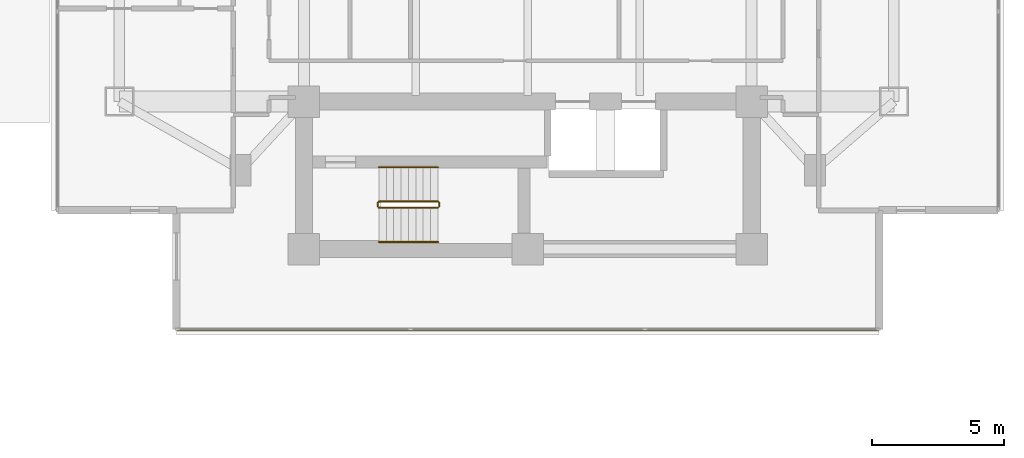
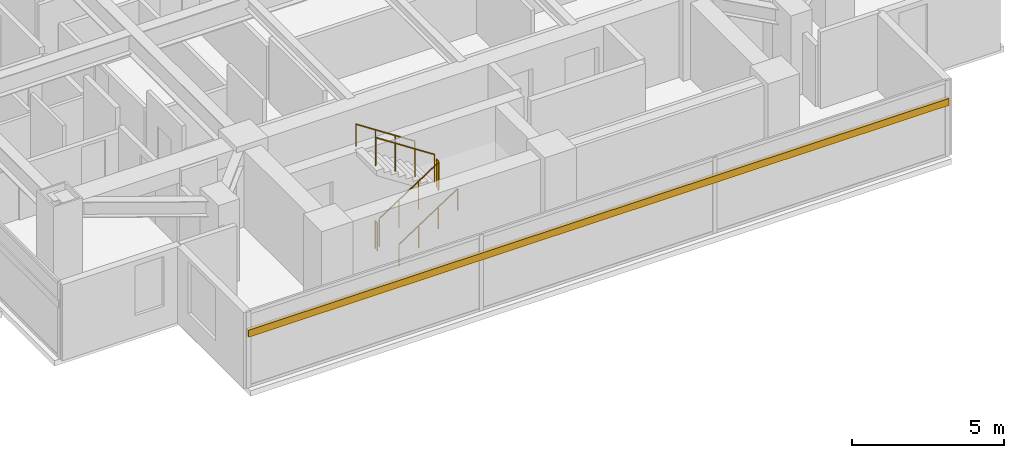
# One storey, part 24 of 26: 6 railings, 1 shading device.
"""IFC4 building model written with IfcOpenShell, lengths in metres."""

from ifc_helpers import new_model, si_unit, direction, frame, origin, origin_2d, place, context, subcontext, project, spatial, rectangle, circle, extrude, material, material_profile, profile_set, type_object, element, save


model = new_model("IFC4")

# Units and contexts
model_context = context("Model", 3, precision=1e-05, world=origin(), true_north=direction((0.0, 1.0)))
body_context = subcontext(model_context, "Body", "Model", "MODEL_VIEW")
ifc_project = project(units=[si_unit("LENGTHUNIT", "METRE"), si_unit("AREAUNIT", "SQUARE_METRE"), si_unit("VOLUMEUNIT", "CUBIC_METRE"), si_unit("PLANEANGLEUNIT", "RADIAN"), si_unit("MASSUNIT", "GRAM", prefix="KILO")], contexts=[model_context])

# Site, building, storey
site_placement = place(None, origin())
site = spatial("IfcSite", under=ifc_project, at=site_placement, CompositionType="ELEMENT")
building_placement = place(site_placement, origin())
building = spatial("IfcBuilding", under=site, at=building_placement, Name="Mirazonda Arch Towers", CompositionType="ELEMENT")
storey_placement = place(building_placement, frame((0.0, 0.0, 98.300048828125)))
storey = spatial("IfcBuildingStorey", under=building, at=storey_placement, Name="L27", CompositionType="ELEMENT", Elevation=98.300048828125)

# Shading device
ifc_material_1 = material(Name="Kiln-Fired Architectural Terracotta", Category="masonry")
ifc_material_profile = material_profile(ifc_material_1, rectangle(XDim=0.139892578125, YDim=0.280029296875, at=origin_2d()), Name="TERRA-BAG-140x280")
ifc_profile_set = profile_set([ifc_material_profile], Name="Kiln-Fired Architectural Terracotta")
shading_device_type = type_object("IfcShadingDeviceType", Name="BAGUETTE-3", PredefinedType="USERDEFINED", material=ifc_profile_set)
shading_device_placement = place(storey_placement, frame((89.840087890625, 12.152587890625, 2.203125), z_axis=(-1.0, 0.0, 0.0), x_axis=(0.0, -1.0, 0.0)))
element("IfcShadingDevice", 1, at=shading_device_placement, inside=storey, type_object=shading_device_type, Name="L27 Glazed Terracotta Sun-Screen Baguette CW-L27-T2-S", ObjectType="BAGUETTE", PredefinedType="USERDEFINED", context=body_context, shape_type="SweptSolid", body=[
    extrude(rectangle(XDim=0.139892578125, YDim=0.280029296875, at=origin_2d()), origin(), (0.0, 0.0, 1.0), 26.68017578125),
])

# Railings
ifc_material_2 = material(Name="Architectural Brushed Steel S355", Category="steel")
railing_type_1 = type_object("IfcRailingType", Name="GUARD-STAIR-1120", PredefinedType="GUARDRAIL", material=ifc_material_2)
railing_1_placement = place(storey_placement, frame((70.85009765625, 16.77001953125, 0.183349609375)))
element("IfcRailing", 2, at=railing_1_placement, inside=storey, type_object=railing_type_1, Name="L27 ST-T2S stair guard 1", PredefinedType="GUARDRAIL", context=body_context, shape_type="SweptSolid", body=[
    extrude(circle(Radius=0.02392578125, at=origin_2d()), frame((0.0, 0.0, 1.1259765625), z_axis=(0.836636935527, 0.0, 0.547757827979), x_axis=(0.0, 1.0, 0.0)), (0.0, 0.0, 1.0), 2.677490234375),
    extrude(circle(Radius=0.02099609375, at=origin_2d()), origin(), (0.0, 0.0, 1.0), 1.101806640625),
    extrude(circle(Radius=0.02099609375, at=origin_2d()), frame((0.74658203125, 0.0, 0.48876953125)), (0.0, 0.0, 1.0), 1.101806640625),
    extrude(circle(Radius=0.02099609375, at=origin_2d()), frame((1.493408203125, 0.0, 0.977783203125)), (0.0, 0.0, 1.0), 1.101806640625),
    extrude(circle(Radius=0.02099609375, at=origin_2d()), frame((2.239990234375, 0.0, 1.466552734375)), (0.0, 0.0, 1.0), 1.101806640625),
])
railing_2_placement = place(storey_placement, frame((73.139892578125, 16.820068359375, 1.64990234375)))
element("IfcRailing", 3, at=railing_2_placement, inside=storey, type_object=railing_type_1, Name="L27 ST-T2S stair guard 2", PredefinedType="GUARDRAIL", context=body_context, shape_type="SweptSolid", body=[
    extrude(circle(Radius=0.02392578125, at=origin_2d()), frame((0.0, 0.0, 1.1259765625), z_axis=(0.0, 1.0, 0.0), x_axis=(-1.0, 0.0, 0.0)), (0.0, 0.0, 1.0), 0.139892578125),
    extrude(circle(Radius=0.02099609375, at=origin_2d()), origin(), (0.0, 0.0, 1.0), 1.101806640625),
    extrude(circle(Radius=0.02099609375, at=origin_2d()), frame((0.0, 0.139892578125, 0.0)), (0.0, 0.0, 1.0), 1.101806640625),
])
railing_3_placement = place(storey_placement, frame((73.090087890625, 17.010009765625, 1.833251953125)))
element("IfcRailing", 4, at=railing_3_placement, inside=storey, type_object=railing_type_1, Name="L27 ST-T2S stair guard 3", PredefinedType="GUARDRAIL", context=body_context, shape_type="SweptSolid", body=[
    extrude(circle(Radius=0.02392578125, at=origin_2d()), frame((0.0, 0.0, 1.1259765625), z_axis=(-0.836595146698, 0.0, 0.547821650285), x_axis=(0.0, -1.0, 0.0)), (0.0, 0.0, 1.0), 2.677490234375),
    extrude(circle(Radius=0.02099609375, at=origin_2d()), origin(), (0.0, 0.0, 1.0), 1.101806640625),
    extrude(circle(Radius=0.02099609375, at=origin_2d()), frame((-0.74658203125, 0.0, 0.489013671875)), (0.0, 0.0, 1.0), 1.101806640625),
    extrude(circle(Radius=0.02099609375, at=origin_2d()), frame((-1.493408203125, 0.0, 0.977783203125)), (0.0, 0.0, 1.0), 1.101806640625),
    extrude(circle(Radius=0.02099609375, at=origin_2d()), frame((-2.239990234375, 0.0, 1.466796875)), (0.0, 0.0, 1.0), 1.101806640625),
])
railing_4_placement = place(storey_placement, frame((70.800048828125, 16.820068359375, 0.0)))
element("IfcRailing", 5, at=railing_4_placement, inside=storey, type_object=railing_type_1, Name="L27 ST-T2S stair guard 4", PredefinedType="GUARDRAIL", context=body_context, shape_type="SweptSolid", body=[
    extrude(circle(Radius=0.02392578125, at=origin_2d()), frame((0.0, 0.0, 1.1259765625), z_axis=(0.0, 1.0, 0.0), x_axis=(-1.0, 0.0, 0.0)), (0.0, 0.0, 1.0), 0.139892578125),
    extrude(circle(Radius=0.02099609375, at=origin_2d()), origin(), (0.0, 0.0, 1.0), 1.101806640625),
    extrude(circle(Radius=0.02099609375, at=origin_2d()), frame((0.0, 0.139892578125, 0.0)), (0.0, 0.0, 1.0), 1.101806640625),
])
railing_type_2 = type_object("IfcRailingType", Name="HANDRAIL-915", PredefinedType="HANDRAIL", material=ifc_material_2)
railing_5_placement = place(storey_placement, frame((70.85009765625, 15.469970703125, 0.183349609375)))
element("IfcRailing", 6, at=railing_5_placement, inside=storey, type_object=railing_type_2, Name="L27 ST-T2S stair handrail 1", PredefinedType="HANDRAIL", context=body_context, shape_type="SweptSolid", body=[
    extrude(circle(Radius=0.02392578125, at=origin_2d()), frame((0.0, 0.0, 0.8759765625), z_axis=(0.836636935527, 0.0, 0.547757827979), x_axis=(0.0, 1.0, 0.0)), (0.0, 0.0, 1.0), 2.677490234375),
    extrude(circle(Radius=0.02099609375, at=origin_2d()), origin(), (0.0, 0.0, 1.0), 0.851806640625),
    extrude(circle(Radius=0.02099609375, at=origin_2d()), frame((0.74658203125, 0.0, 0.48876953125)), (0.0, 0.0, 1.0), 0.851806640625),
    extrude(circle(Radius=0.02099609375, at=origin_2d()), frame((1.493408203125, 0.0, 0.977783203125)), (0.0, 0.0, 1.0), 0.851806640625),
    extrude(circle(Radius=0.02099609375, at=origin_2d()), frame((2.239990234375, 0.0, 1.466552734375)), (0.0, 0.0, 1.0), 0.851806640625),
])
railing_6_placement = place(storey_placement, frame((73.090087890625, 18.31005859375, 1.833251953125)))
element("IfcRailing", 7, at=railing_6_placement, inside=storey, type_object=railing_type_2, Name="L27 ST-T2S stair handrail 2", PredefinedType="HANDRAIL", context=body_context, shape_type="SweptSolid", body=[
    extrude(circle(Radius=0.02392578125, at=origin_2d()), frame((0.0, 0.0, 0.8759765625), z_axis=(-0.836595146698, 0.0, 0.547821650285), x_axis=(0.0, -1.0, 0.0)), (0.0, 0.0, 1.0), 2.677490234375),
    extrude(circle(Radius=0.02099609375, at=origin_2d()), origin(), (0.0, 0.0, 1.0), 0.851806640625),
    extrude(circle(Radius=0.02099609375, at=origin_2d()), frame((-0.74658203125, 0.0, 0.489013671875)), (0.0, 0.0, 1.0), 0.851806640625),
    extrude(circle(Radius=0.02099609375, at=origin_2d()), frame((-1.493408203125, 0.0, 0.977783203125)), (0.0, 0.0, 1.0), 0.851806640625),
    extrude(circle(Radius=0.02099609375, at=origin_2d()), frame((-2.239990234375, 0.0, 1.466796875)), (0.0, 0.0, 1.0), 0.851806640625),
])

save(model, "model.ifc")
